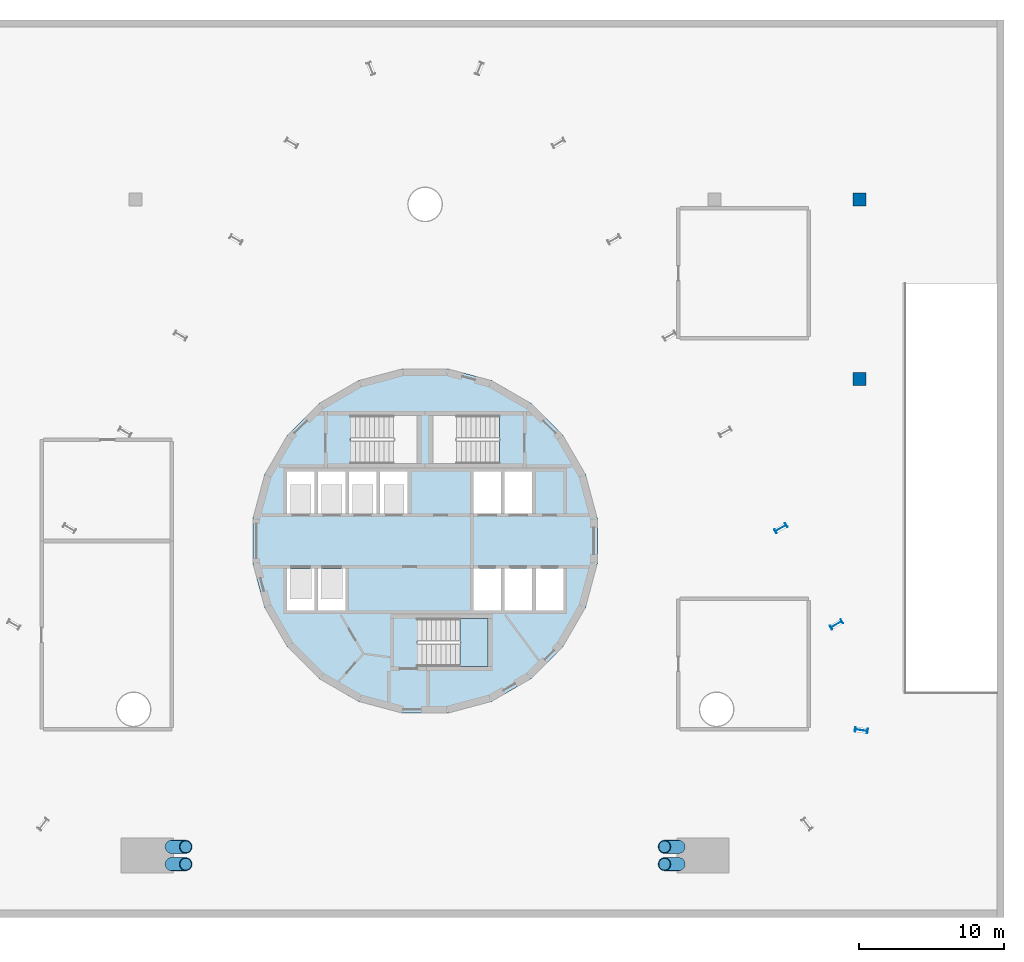
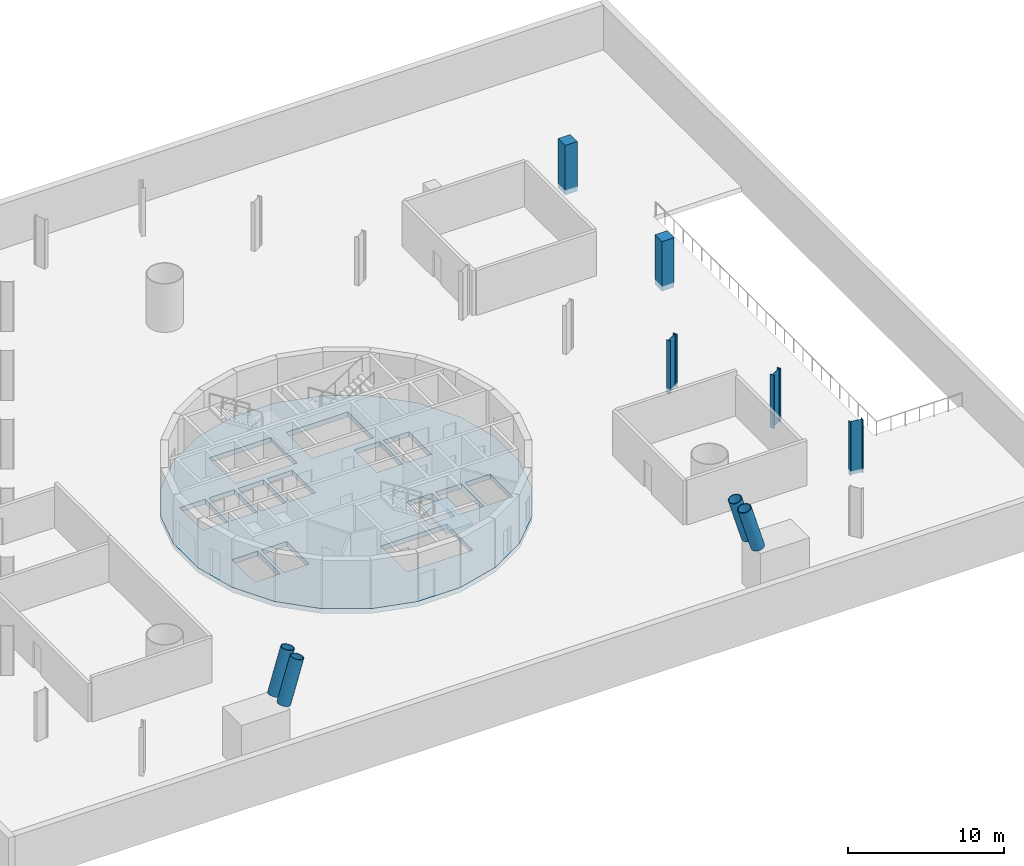
# One storey, part 2 of 10: 5 columns, 4 members, 2 slabs, 1 element without a shape of its own.
"""IFC4 building model written with IfcOpenShell, lengths in metres."""

from ifc_helpers import new_model, si_unit, direction, frame, origin, origin_2d, place, context, subcontext, project, spatial, polyline, rectangle, hollow_circle, i_section, outline, extrude, material, layer, layer_set, material_profile, profile_set, type_object, element, aggregate, save


model = new_model("IFC4")

# Units and contexts
model_context = context("Model", 3, precision=1e-05, world=origin(), true_north=direction((0.0, 1.0)))
body_context = subcontext(model_context, "Body", "Model", "MODEL_VIEW")
ifc_project = project(units=[si_unit("LENGTHUNIT", "METRE"), si_unit("AREAUNIT", "SQUARE_METRE"), si_unit("VOLUMEUNIT", "CUBIC_METRE"), si_unit("PLANEANGLEUNIT", "RADIAN"), si_unit("MASSUNIT", "GRAM", prefix="KILO")], contexts=[model_context])

# Site, building, storey
site_placement = place(None, origin())
site = spatial("IfcSite", under=ifc_project, at=site_placement, CompositionType="ELEMENT")
building_placement = place(site_placement, origin())
building = spatial("IfcBuilding", under=site, at=building_placement, Name="Spindle Arch Residences", CompositionType="ELEMENT")
storey_placement = place(building_placement, frame((0.0, 0.0, -4.199951171875)))
storey = spatial("IfcBuildingStorey", under=building, at=storey_placement, Name="B1", CompositionType="ELEMENT", Elevation=-4.199951171875)

# Columns
ifc_material_1 = material(Name="Concrete C50/60", Category="concrete")
ifc_material_profile_1 = material_profile(ifc_material_1, rectangle(XDim=0.89990234375, YDim=0.89990234375, at=origin_2d()), Name="RC 900x900")
ifc_profile_set_1 = profile_set([ifc_material_profile_1], Name="Concrete C50/60")
column_type_1 = type_object("IfcColumnType", Name="Basement column RC 900x900", PredefinedType="COLUMN", material=ifc_profile_set_1)
for number, where, z_axis, x_axis, name in (
    (1, (30.0, 11.199951171875, -0.380126953125), (0.0, 0.0, 1.0), (1.0, 0.0, 0.0), "Basement column 004"),
    (2, (30.0, 23.60009765625, -0.380126953125), (0.0, 0.0, 1.0), (1.0, 0.0, 0.0), "Basement column 005"),
):
    element("IfcColumn", number, at=place(storey_placement, frame(where, z_axis=z_axis, x_axis=x_axis)), inside=storey, type_object=column_type_1, Name=name, PredefinedType="COLUMN", context=body_context, shape_type="SweptSolid", body=[
        extrude(rectangle(XDim=0.89990234375, YDim=0.89990234375, at=origin_2d()), origin(), (0.0, 0.0, 1.0), 3.880126953125),
    ])
ifc_material_2 = material(Name="Steel S460ML, intumescent coating R 240", Category="steel")
ifc_material_profile_2 = material_profile(ifc_material_2, i_section(OverallWidth=0.300048828125, OverallDepth=0.89990234375, WebThickness=0.0185546875, FlangeThickness=0.034912109375, FilletRadius=0.030029296875, at=origin_2d()), Name="HEB 900")
ifc_profile_set_2 = profile_set([ifc_material_profile_2], Name="Steel S460ML, intumescent coating R 240")
column_type_2 = type_object("IfcColumnType", Name="Exoskeleton post HEB 900", PredefinedType="COLUMN", material=ifc_profile_set_2)
for number, where, z_axis, x_axis, name in (
    (3, (30.139892578125, -13.0732421875, -0.380126953125), (0.0, 0.0, 1.0), (-0.142906037553, -0.989736260036, 0.0), "Exoskeleton post 5"),
    (4, (28.418701171875, -5.762939453125, -0.380126953125), (0.0, 0.0, 1.0), (0.50000017485, -0.866025302835, 0.0), "Exoskeleton post 6"),
    (5, (24.57861328125, 0.88818359375, -0.380126953125), (0.0, 0.0, 1.0), (0.50000017485, -0.866025302835, 0.0), "Exoskeleton post 7"),
):
    element("IfcColumn", number, at=place(storey_placement, frame(where, z_axis=z_axis, x_axis=x_axis)), inside=storey, type_object=column_type_2, Name=name, PredefinedType="COLUMN", context=body_context, shape_type="SweptSolid", body=[
        extrude(i_section(OverallWidth=0.300048828125, OverallDepth=0.89990234375, WebThickness=0.0185546875, FlangeThickness=0.034912109375, FilletRadius=0.030029296875, at=origin_2d()), origin(), (0.0, 0.0, 1.0), 4.16015625),
    ])

# Members
ifc_material_3 = material(Name="Steel S355J2, intumescent coating R 240", Category="steel")
ifc_material_profile_3 = material_profile(ifc_material_3, hollow_circle(Radius=0.45703125, WallThickness=0.050048828125, at=origin_2d()), Name="CHS 914x50")
ifc_profile_set_3 = profile_set([ifc_material_profile_3], Name="Steel S355J2, intumescent coating R 240")
member_type = type_object("IfcMemberType", Name="Arch rib CHS 914x50", PredefinedType="MEMBER", material=ifc_profile_set_3)
for number, where, z_axis, x_axis, name in (
    (6, (-17.520263671875, -22.329833984375, 3.9619140625), (0.284136459957, 0.0, 0.958783850575), (0.0, 1.0, 0.0), "Arch rib 1.1"),
    (7, (16.538818359375, -22.329833984375, 7.273681640625), (0.284136459957, 0.0, -0.958783850575), (0.0, 1.0, 0.0), "Arch rib 1.24"),
    (8, (-17.520263671875, -21.1298828125, 3.9619140625), (0.284136459957, 0.0, 0.958783850575), (0.0, 1.0, 0.0), "Arch rib 2.1"),
    (9, (16.538818359375, -21.1298828125, 7.273681640625), (0.284136459957, 0.0, -0.958783850575), (0.0, 1.0, 0.0), "Arch rib 2.24"),
):
    element("IfcMember", number, at=place(storey_placement, frame(where, z_axis=z_axis, x_axis=x_axis)), inside=storey, type_object=member_type, Name=name, PredefinedType="MEMBER", context=body_context, shape_type="SweptSolid", body=[
        extrude(hollow_circle(Radius=0.45703125, WallThickness=0.050048828125, at=origin_2d()), origin(), (0.0, 0.0, 1.0), 3.4541015625),
    ])

# Slab
ifc_material_4 = material(Name="Concrete C50/60", Category="concrete")
ifc_layer_1 = layer(ifc_material_4, 0.3798828125)
ifc_layer_set_1 = layer_set([ifc_layer_1], Name="Core floor slab 380")
slab_type_1 = type_object("IfcSlabType", Name="Core floor slab 380", PredefinedType="FLOOR", material=ifc_layer_set_1)
slab_1_placement = place(storey_placement, frame((0.0, 0.0, -0.380126953125)))
element("IfcSlab", 10, at=slab_1_placement, inside=storey, type_object=slab_type_1, Name="Core floor B1", PredefinedType="FLOOR", context=body_context, shape_type="SweptSolid", body=[
    extrude(outline(polyline([(1.56640625, -11.897216796875), (4.59228515625, -11.086669921875), (7.30517578125, -9.520263671875), (9.520263671875, -7.30517578125), (11.086669921875, -4.59228515625), (11.897216796875, -1.56640625), (11.897216796875, 1.56640625), (11.086669921875, 4.59228515625), (9.520263671875, 7.30517578125), (7.30517578125, 9.520263671875), (4.59228515625, 11.086669921875), (1.56640625, 11.897216796875), (-1.56640625, 11.897216796875), (-4.59228515625, 11.086669921875), (-7.30517578125, 9.520263671875), (-9.520263671875, 7.30517578125), (-11.086669921875, 4.59228515625), (-11.897216796875, 1.56640625), (-11.897216796875, -1.56640625), (-11.086669921875, -4.59228515625), (-9.520263671875, -7.30517578125), (-7.30517578125, -9.520263671875), (-4.59228515625, -11.086669921875), (-1.56640625, -11.897216796875), (1.56640625, -11.897216796875)]), holes=[polyline([(-9.550048828125, 1.89990234375), (-7.64990234375, 1.89990234375), (-7.64990234375, 4.800048828125), (-9.550048828125, 4.800048828125), (-9.550048828125, 1.89990234375)]), polyline([(-7.39990234375, 1.89990234375), (-5.5, 1.89990234375), (-5.5, 4.800048828125), (-7.39990234375, 4.800048828125), (-7.39990234375, 1.89990234375)]), polyline([(-5.25, 1.89990234375), (-3.35009765625, 1.89990234375), (-3.35009765625, 4.800048828125), (-5.25, 4.800048828125), (-5.25, 1.89990234375)]), polyline([(-3.10009765625, 1.89990234375), (-1.199951171875, 1.89990234375), (-1.199951171875, 4.800048828125), (-3.10009765625, 4.800048828125), (-3.10009765625, 1.89990234375)]), polyline([(3.35009765625, 1.89990234375), (5.25, 1.89990234375), (5.25, 4.800048828125), (3.35009765625, 4.800048828125), (3.35009765625, 1.89990234375)]), polyline([(5.5, 1.89990234375), (7.39990234375, 1.89990234375), (7.39990234375, 4.800048828125), (5.5, 4.800048828125), (5.5, 1.89990234375)]), polyline([(-9.550048828125, -4.800048828125), (-7.64990234375, -4.800048828125), (-7.64990234375, -1.89990234375), (-9.550048828125, -1.89990234375), (-9.550048828125, -4.800048828125)]), polyline([(-7.39990234375, -4.800048828125), (-5.5, -4.800048828125), (-5.5, -1.89990234375), (-7.39990234375, -1.89990234375), (-7.39990234375, -4.800048828125)]), polyline([(3.35009765625, -4.800048828125), (5.25, -4.800048828125), (5.25, -1.89990234375), (3.35009765625, -1.89990234375), (3.35009765625, -4.800048828125)]), polyline([(5.5, -4.800048828125), (7.39990234375, -4.800048828125), (7.39990234375, -1.89990234375), (5.5, -1.89990234375), (5.5, -4.800048828125)]), polyline([(7.64990234375, -4.800048828125), (9.550048828125, -4.800048828125), (9.550048828125, -1.89990234375), (7.64990234375, -1.89990234375), (7.64990234375, -4.800048828125)]), polyline([(5.1298828125, 8.669921875), (0.550048828125, 8.669921875), (0.550048828125, 5.35009765625), (5.1298828125, 5.35009765625), (5.1298828125, 8.669921875)]), polyline([(-5.1298828125, 5.35009765625), (-0.550048828125, 5.35009765625), (-0.550048828125, 8.669921875), (-5.1298828125, 8.669921875), (-5.1298828125, 5.35009765625)]), polyline([(-0.530029296875, -8.669921875), (4.35009765625, -8.669921875), (4.35009765625, -5.35009765625), (-0.530029296875, -5.35009765625), (-0.530029296875, -8.669921875)])]), origin(), (0.0, 0.0, 1.0), 0.380126953125),
])

# Stair, slab
ifc_material_5 = material(Name="Concrete C50/60", Category="concrete")
stair_type = type_object("IfcStairType", Name="Exit stair 20 risers", PredefinedType="HALF_TURN_STAIR", material=ifc_material_5)
stair_placement = place(storey_placement, origin())
stair = element("IfcStair", 11, at=stair_placement, inside=storey, type_object=stair_type, Name="B1 Exit stair ST3", PredefinedType="HALF_TURN_STAIR")
ifc_material_6 = material(Name="Concrete C50/60", Category="concrete")
ifc_layer_2 = layer(ifc_material_6, 0.219970703125)
ifc_layer_set_2 = layer_set([ifc_layer_2], Name="Exit stair landing 220")
slab_type_2 = type_object("IfcSlabType", Name="Exit stair landing 220", PredefinedType="LANDING", material=ifc_layer_set_2)
slab_2_placement = place(storey_placement, frame((0.0, 0.0, 1.8798828125)))
slab_2 = element("IfcSlab", 12, at=slab_2_placement, type_object=slab_type_2, Name="ST3 landing 1", PredefinedType="LANDING", context=body_context, shape_type="SweptSolid", body=[
    extrude(outline(polyline([(2.39990234375, -8.669921875), (4.35009765625, -8.669921875), (4.35009765625, -5.35009765625), (2.39990234375, -5.35009765625), (2.39990234375, -8.669921875)])), origin(), (0.0, 0.0, 1.0), 0.219970703125),
])
aggregate(stair, [slab_2])

save(model, "model.ifc")
